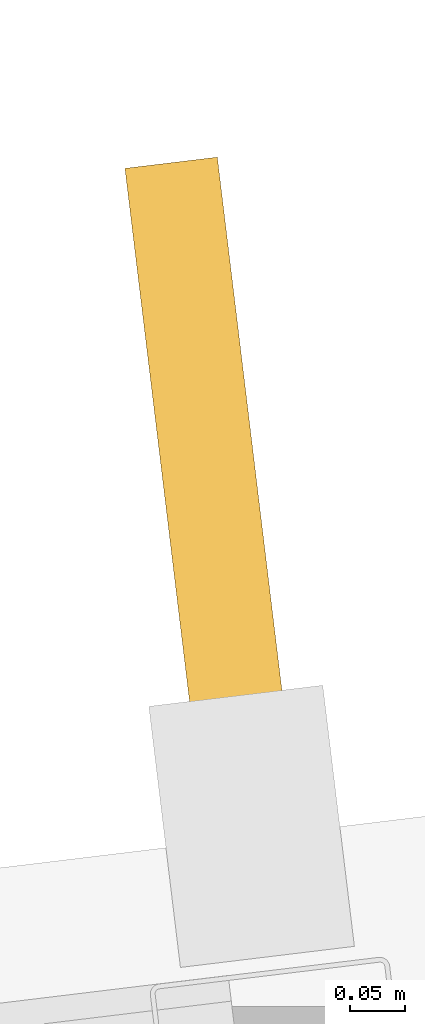
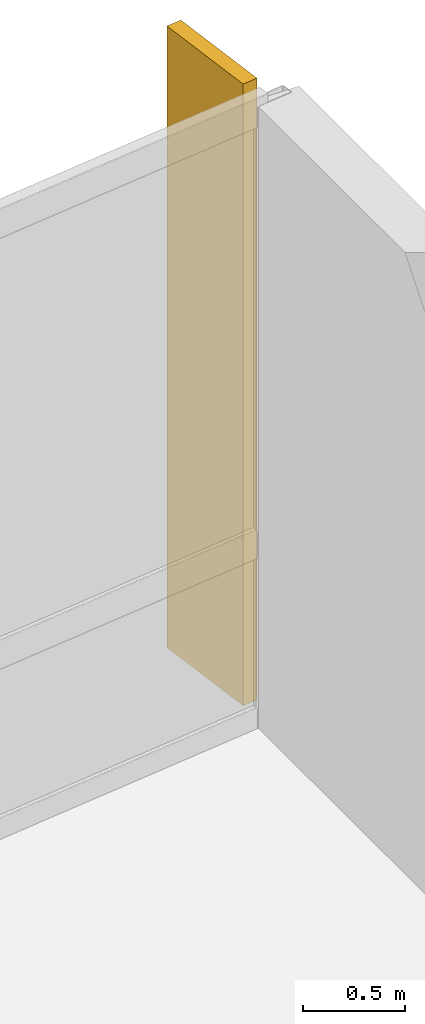
# One storey, part 19 of 19: 1 shading device.
"""IFC4 building model written with IfcOpenShell, lengths in metres."""

import ifcopenshell
import ifcopenshell.guid

model = None  # the IFC model being written
_history = None  # IfcOwnerHistory: only IFC2X3 demands one
_inside = {}  # id of a spatial element -> (the spatial element, [elements in it])
_under = {}  # id of a project, library or spatial element -> (it, [spatial elements below it])
_declared = {}  # id of a project -> (the project, [libraries it declares])
_typed = {}  # id of a type object -> (the type object, [elements of that type])
_made_of = {}  # id of a material, layer set ... -> (it, [elements and type objects made of it])


def new_model(schema):
    """Start an empty IFC model of exactly this schema.

    Asked for "IFC4X3", IfcOpenShell would pick the latest addendum, in which some entities
    have other attributes; the version numbers below select the first issue.
    IFC2X3 requires an IfcOwnerHistory on every rooted entity: one is made here for all.
    """
    global model, _history
    if schema == "IFC4X3":
        model = ifcopenshell.file(schema_version=(4, 3, 0, 0))
    else:
        model = ifcopenshell.file(schema=schema)
    _inside.clear()
    _under.clear()
    _declared.clear()
    _typed.clear()
    _made_of.clear()
    _history = None
    if model.schema == "IFC2X3":
        org = make("IfcOrganization", Name="unknown")
        user = make(
            "IfcPersonAndOrganization",
            ThePerson=make("IfcPerson", FamilyName="unknown"),
            TheOrganization=org,
        )
        app = make(
            "IfcApplication",
            ApplicationDeveloper=org,
            Version="unknown",
            ApplicationFullName="unknown",
            ApplicationIdentifier="unknown",
        )
        _history = make(
            "IfcOwnerHistory",
            OwningUser=user,
            OwningApplication=app,
            ChangeAction="ADDED",
            CreationDate=0,
        )
    return model


def make(cls, **values):
    """One entity of the class cls with the attributes given. An attribute that is None is left unset."""
    return model.create_entity(
        cls, **{name: value for name, value in values.items() if value is not None}
    )


def rooted(cls, **values):
    """An entity with a GlobalId (a new one), such as an element, a storey or a relation."""
    return make(cls, GlobalId=ifcopenshell.guid.new(), OwnerHistory=_history, **values)


def si_unit(unit_type, name, prefix=None):
    """IfcSIUnit, for example si_unit("LENGTHUNIT", "METRE", prefix="MILLI")."""
    return make("IfcSIUnit", UnitType=unit_type, Prefix=prefix, Name=name)


def assignment(units):
    """IfcUnitAssignment: the units of a project."""
    return None if units is None else make("IfcUnitAssignment", Units=units)


def point(xyz):
    """IfcCartesianPoint."""
    return None if xyz is None else make("IfcCartesianPoint", Coordinates=xyz)


def direction(xyz):
    """IfcDirection."""
    return None if xyz is None else make("IfcDirection", DirectionRatios=xyz)


def frame(location, z_axis=None, x_axis=None):
    """IfcAxis2Placement3D, a coordinate frame: its origin and axes. An axis left out is left unset."""
    return make(
        "IfcAxis2Placement3D",
        Location=point(location),
        Axis=direction(z_axis),
        RefDirection=direction(x_axis),
    )


def frame_2d(location, x_axis=None):
    """IfcAxis2Placement2D, a coordinate frame in the plane: its origin and x axis."""
    return make(
        "IfcAxis2Placement2D", Location=point(location), RefDirection=direction(x_axis)
    )


def origin():
    """The frame at (0, 0, 0) with its axes left unset."""
    return frame((0.0, 0.0, 0.0))


def origin_2d():
    """The frame at (0, 0) in the plane with its x axis left unset."""
    return frame_2d((0.0, 0.0))


def place(relative_to, where):
    """IfcLocalPlacement: puts the frame where relative to a parent placement (None: the world)."""
    return make(
        "IfcLocalPlacement", PlacementRelTo=relative_to, RelativePlacement=where
    )


def context(
    kind, dimensions, precision=None, world=None, true_north=None, identifier=None
):
    """IfcGeometricRepresentationContext, for example the 3D "Model" context."""
    return make(
        "IfcGeometricRepresentationContext",
        ContextIdentifier=identifier,
        ContextType=kind,
        CoordinateSpaceDimension=dimensions,
        Precision=precision,
        WorldCoordinateSystem=world,
        TrueNorth=true_north,
    )


def subcontext(parent, identifier, kind, view, scale=None):
    """IfcGeometricRepresentationSubContext, for example "Body" below "Model"."""
    return make(
        "IfcGeometricRepresentationSubContext",
        ContextIdentifier=identifier,
        ContextType=kind,
        ParentContext=parent,
        TargetScale=scale,
        TargetView=view,
    )


def project(units=None, contexts=None):
    """IfcProject with its units and contexts."""
    return rooted(
        "IfcProject",
        Name="project",
        RepresentationContexts=contexts,
        UnitsInContext=assignment(units),
    )


def spatial(cls, under=None, at=None, **own):
    """A site, building, storey or space (cls), placed at a placement, below another one or the project."""
    s = rooted(cls, ObjectPlacement=at, **own)
    if under is not None:
        _under.setdefault(under.id(), (under, []))[1].append(s)
    return s


def profile(cls, at=None, kind="AREA", **sizes):
    """A parametric profile (cls). Its sizes go by their IFC names, for example OverallWidth=200.0."""
    return make(cls, ProfileType=kind, Position=at, **sizes)


def rectangle(**sizes):
    """IfcRectangleProfileDef."""
    return profile("IfcRectangleProfileDef", **sizes)


def extrude(swept, where, along, depth):
    """IfcExtrudedAreaSolid: the profile swept, set in the frame where, extruded along a direction by depth."""
    return make(
        "IfcExtrudedAreaSolid",
        SweptArea=swept,
        Position=where,
        ExtrudedDirection=direction(along),
        Depth=depth,
    )


def shape(context_of_items, identifier, shape_type, items):
    """IfcShapeRepresentation: the items that make up one representation, for example the "Body"."""
    return make(
        "IfcShapeRepresentation",
        ContextOfItems=context_of_items,
        RepresentationIdentifier=identifier,
        RepresentationType=shape_type,
        Items=items,
    )


def material(Name=None, Category=None):
    """IfcMaterial."""
    return make("IfcMaterial", Name=Name, Category=Category)


def layer(
    of_material, thickness, ventilated=None, Name=None, Category=None, Priority=None
):
    """IfcMaterialLayer: one layer of a wall or slab, of a material (None: an air gap)."""
    return make(
        "IfcMaterialLayer",
        Material=of_material,
        LayerThickness=thickness,
        IsVentilated=ventilated,
        Name=Name,
        Category=Category,
        Priority=Priority,
    )


def layer_set(layers, Name=None):
    """IfcMaterialLayerSet."""
    return make("IfcMaterialLayerSet", MaterialLayers=layers, LayerSetName=Name)


def made_of(thing, what):
    """Note that an element or type object is made of a material, layer set ...; save() writes the relation."""
    if what is not None:
        _made_of.setdefault(what.id(), (what, []))[1].append(thing)
    return thing


def type_object(cls, material=None, **own):
    """A type object (cls), such as IfcWallType, which elements share."""
    return made_of(rooted(cls, **own), material)


def element(
    cls,
    number,
    at=None,
    inside=None,
    cuts=None,
    type_object=None,
    material=None,
    context=None,
    identifier="Body",
    shape_type=None,
    held_by="IfcProductDefinitionShape",
    body=None,
    shapes=None,
    **own,
):
    """One element of the class cls, such as IfcWall. Its Tag is "e" and its number.

    at: its placement. inside: the storey or other place that contains it. cuts: it is an
    opening in that element (IfcRelVoidsElement). A single representation is given by context,
    identifier, shape_type and body (its items); several are given by shapes. held_by: the class
    of the entity that holds the representations. save() writes the other relations.
    """
    e = rooted(cls, Tag="e%d" % number, ObjectPlacement=at, **own)
    if body is not None:
        shapes = [shape(context, identifier, shape_type, body)]
    if shapes is not None:
        e.Representation = make(held_by, Representations=shapes)
    if inside is not None:
        _inside.setdefault(inside.id(), (inside, []))[1].append(e)
    if cuts is not None:
        rooted(
            "IfcRelVoidsElement", RelatingBuildingElement=cuts, RelatedOpeningElement=e
        )
    if type_object is not None:
        _typed.setdefault(type_object.id(), (type_object, []))[1].append(e)
    return made_of(e, material)


def aggregate(whole, parts):
    """IfcRelAggregates: a whole, such as a stair, and the parts it consists of."""
    return rooted("IfcRelAggregates", RelatingObject=whole, RelatedObjects=parts)


def save(model, path):
    """Write the relations noted so far, then the file.

    IfcRelAggregates (storeys below a building ...), IfcRelContainedInSpatialStructure (elements
    in a storey), IfcRelDefinesByType, IfcRelAssociatesMaterial and IfcRelDeclares: one each for
    every whole, place, type object, material and project.
    """
    for whole, parts in _under.values():
        aggregate(whole, parts)
    for where, things in _inside.values():
        rooted(
            "IfcRelContainedInSpatialStructure",
            RelatedElements=things,
            RelatingStructure=where,
        )
    for kind, things in _typed.values():
        rooted("IfcRelDefinesByType", RelatedObjects=things, RelatingType=kind)
    for what, things in _made_of.values():
        rooted("IfcRelAssociatesMaterial", RelatedObjects=things, RelatingMaterial=what)
    for by, libraries in _declared.values():
        rooted("IfcRelDeclares", RelatingContext=by, RelatedDefinitions=libraries)
    model.write(path)


model = new_model("IFC4")

# Units and contexts
model_context = context("Model", 3, precision=1e-05, world=origin(), true_north=direction((0.0, 1.0)))
body_context = subcontext(model_context, "Body", "Model", "MODEL_VIEW")
ifc_project = project(units=[si_unit("LENGTHUNIT", "METRE"), si_unit("AREAUNIT", "SQUARE_METRE"), si_unit("VOLUMEUNIT", "CUBIC_METRE"), si_unit("PLANEANGLEUNIT", "RADIAN"), si_unit("MASSUNIT", "GRAM", prefix="KILO")], contexts=[model_context])

# Site, building, storey
site_placement = place(None, origin())
site = spatial("IfcSite", under=ifc_project, at=site_placement, CompositionType="ELEMENT")
building_placement = place(site_placement, origin())
building = spatial("IfcBuilding", under=site, at=building_placement, Name="Varnakote Quay Hospital", CompositionType="ELEMENT")
storey_placement = place(building_placement, frame((0.0, 0.0, 162.60009765625)))
storey = spatial("IfcBuildingStorey", under=building, at=storey_placement, Name="L40", CompositionType="ELEMENT", Elevation=162.60009765625)

# Shading device
ifc_material = material(Name="Anodised aluminium 6063-T6 Bronze", Category="aluminium")
ifc_layer = layer(ifc_material, 0.0849609375)
ifc_layer_set = layer_set([ifc_layer], Name="Anodised aluminium 6063-T6 Bronze")
shading_device_type = type_object("IfcShadingDeviceType", Name="SHD-BRONZE-FIN-620", PredefinedType="USERDEFINED", material=ifc_layer_set)
shading_device_placement = place(storey_placement, frame((53.9462890625, 33.381591796875, 0.0), z_axis=(0.0, 0.0, 1.0), x_axis=(0.120310105847, -0.992736358975, 0.0)))
element("IfcShadingDevice", 1, at=shading_device_placement, inside=storey, type_object=shading_device_type, Name="L40 Anodised Bronze Vertical Shading FIN", ObjectType="FIN", PredefinedType="USERDEFINED", context=body_context, shape_type="SweptSolid", body=[
    extrude(rectangle(XDim=0.6201171875, YDim=0.0849609375, at=origin_2d()), origin(), (0.0, 0.0, 1.0), 3.7099609375),
])

save(model, "model.ifc")
